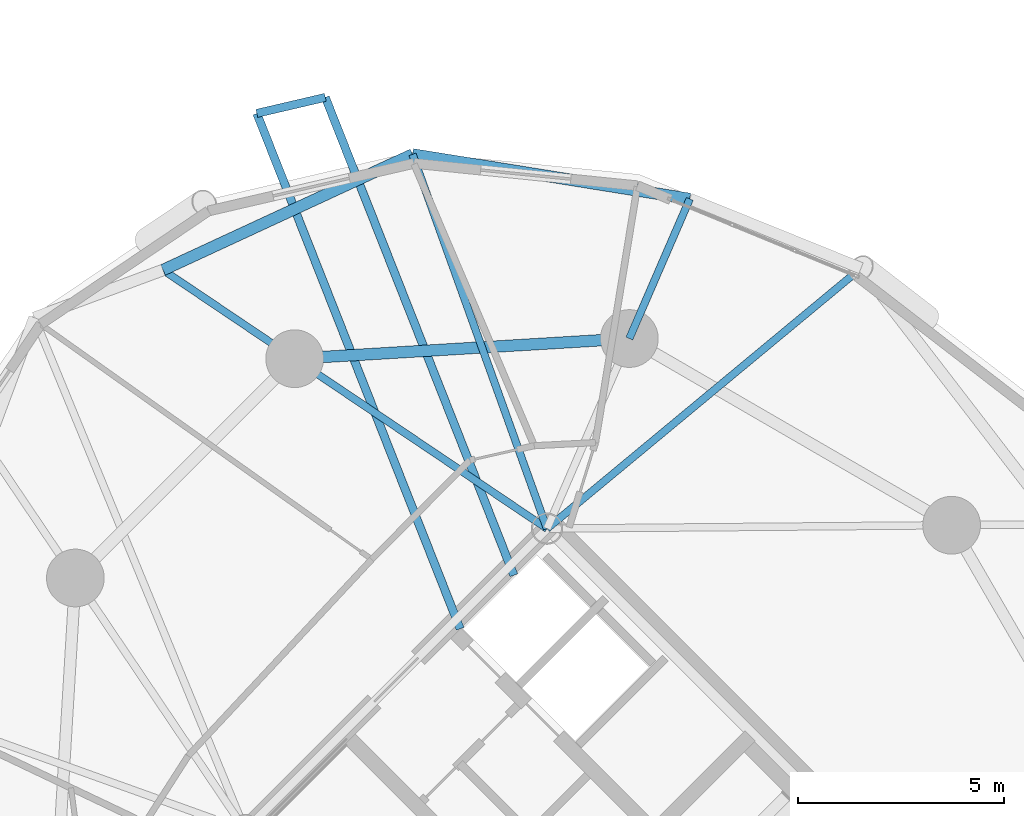
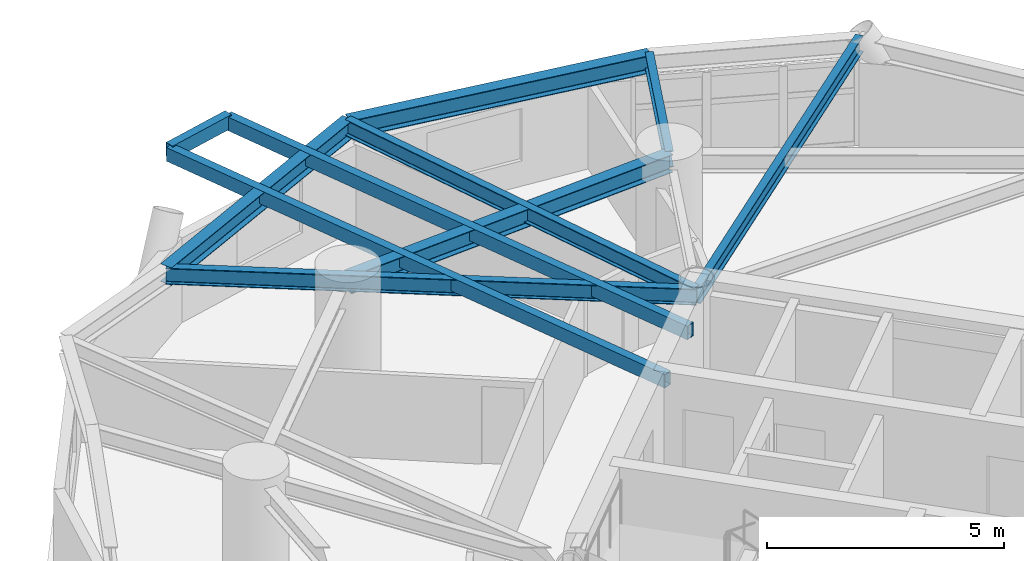
# One storey, part 6 of 17: 10 beams.
"""IFC4 building model written with IfcOpenShell, lengths in metres."""

from ifc_helpers import new_model, si_unit, direction, frame, origin, origin_2d, place, context, subcontext, project, spatial, hollow_rectangle, i_section, extrude, material, material_profile, profile_set, type_object, element, save


model = new_model("IFC4")

# Units and contexts
model_context = context("Model", 3, precision=1e-05, world=origin(), true_north=direction((0.0, 1.0)))
body_context = subcontext(model_context, "Body", "Model", "MODEL_VIEW")
ifc_project = project(units=[si_unit("LENGTHUNIT", "METRE"), si_unit("AREAUNIT", "SQUARE_METRE"), si_unit("VOLUMEUNIT", "CUBIC_METRE"), si_unit("PLANEANGLEUNIT", "RADIAN"), si_unit("MASSUNIT", "GRAM", prefix="KILO")], contexts=[model_context])

# Site, building, storey
site_placement = place(None, origin())
site = spatial("IfcSite", under=ifc_project, at=site_placement, CompositionType="ELEMENT")
building_placement = place(site_placement, origin())
building = spatial("IfcBuilding", under=site, at=building_placement, Name="Cununo Teusaquillo Station Towers", CompositionType="ELEMENT")
storey_placement = place(building_placement, frame((0.0, 0.0, 116.7099609375)))
storey = spatial("IfcBuildingStorey", under=building, at=storey_placement, Name="L37", CompositionType="ELEMENT", Elevation=116.7099609375)

# Beams
ifc_material_1 = material(Name="Steel EN 10025-2 S355J2", Category="steel")
ifc_material_profile_1 = material_profile(ifc_material_1, hollow_rectangle(XDim=0.199951171875, YDim=0.35009765625, WallThickness=0.013916015625, at=origin_2d()), Name="RHS 350x200x14")
ifc_profile_set_1 = profile_set([ifc_material_profile_1], Name="Steel EN 10025-2 S355J2")
beam_type_1 = type_object("IfcBeamType", Name="BM-BAL-CANT", PredefinedType="BEAM", material=ifc_profile_set_1)
beam_1_placement = place(storey_placement, frame((55.48974609375, 31.894287109375, 2.4951171875), z_axis=(-0.367001462432, 0.930220364523, 0.0), x_axis=(-0.930220364523, -0.367001462432, 0.0)))
element("IfcBeam", 1, at=beam_1_placement, inside=storey, type_object=beam_type_1, Name="L37 Tower B Balcony Cantilever Bracket 1A", PredefinedType="BEAM", context=body_context, shape_type="SweptSolid", body=[
    extrude(hollow_rectangle(XDim=0.199951171875, YDim=0.35009765625, WallThickness=0.013916015625, at=origin_2d()), origin(), (0.0, 0.0, 1.0), 12.459716796875),
])
beam_2_placement = place(storey_placement, frame((54.188720703125, 30.593505859375, 2.4951171875), z_axis=(-0.367008555132, 0.930217566196, 0.0), x_axis=(-0.930217566196, -0.367008555132, 0.0)))
element("IfcBeam", 2, at=beam_2_placement, inside=storey, type_object=beam_type_1, Name="L37 Tower B Balcony Cantilever Bracket 1B", PredefinedType="BEAM", context=body_context, shape_type="SweptSolid", body=[
    extrude(hollow_rectangle(XDim=0.199951171875, YDim=0.35009765625, WallThickness=0.013916015625, at=origin_2d()), origin(), (0.0, 0.0, 1.0), 13.44140625),
])
ifc_material_2 = material(Name="Steel ASTM A572 Grade 50", Category="steel")
ifc_material_profile_2 = material_profile(ifc_material_2, i_section(OverallWidth=0.180908203125, OverallDepth=0.4169921875, WebThickness=0.010986328125, FlangeThickness=0.018310546875, FilletRadius=0.012939453125, at=origin_2d()), Name="W16X57")
ifc_profile_set_2 = profile_set([ifc_material_profile_2], Name="Steel ASTM A572 Grade 50")
beam_type_2 = type_object("IfcBeamType", Name="BM-JOIST-1", PredefinedType="JOIST", material=ifc_profile_set_2)
beam_3_placement = place(storey_placement, frame((56.29443359375, 33.024169921875, 2.46142578125), z_axis=(0.769727799615, 0.638372238196, 0.0), x_axis=(-0.638372238196, 0.769727799615, 0.0)))
element("IfcBeam", 3, at=beam_3_placement, inside=storey, type_object=beam_type_2, Name="L37 Tower B Radial Spandrel Joist V01", PredefinedType="JOIST", context=body_context, shape_type="SweptSolid", body=[
    extrude(i_section(OverallWidth=0.180908203125, OverallDepth=0.4169921875, WebThickness=0.010986328125, FlangeThickness=0.018310546875, FilletRadius=0.012939453125, at=origin_2d()), origin(), (0.0, 0.0, 1.0), 9.895263671875),
])
beam_4_placement = place(storey_placement, frame((56.29443359375, 33.024169921875, 2.46142578125), z_axis=(-0.338176312038, 0.941082771055, 0.0), x_axis=(-0.941082771055, -0.338176312038, 0.0)))
element("IfcBeam", 4, at=beam_4_placement, inside=storey, type_object=beam_type_2, Name="L37 Tower B Radial Spandrel Joist V03", PredefinedType="JOIST", context=body_context, shape_type="SweptSolid", body=[
    extrude(i_section(OverallWidth=0.180908203125, OverallDepth=0.4169921875, WebThickness=0.010986328125, FlangeThickness=0.018310546875, FilletRadius=0.012939453125, at=origin_2d()), origin(), (0.0, 0.0, 1.0), 9.646484375),
])
ifc_material_3 = material(Name="Steel ASTM A572 Grade 50", Category="steel")
ifc_material_profile_3 = material_profile(ifc_material_3, i_section(OverallWidth=0.180908203125, OverallDepth=0.4169921875, WebThickness=0.010986328125, FlangeThickness=0.018310546875, FilletRadius=0.012939453125, at=origin_2d()), Name="W16X57")
ifc_profile_set_3 = profile_set([ifc_material_profile_3], Name="Steel ASTM A572 Grade 50")
beam_type_3 = type_object("IfcBeamType", Name="BM-RAD-G2", PredefinedType="BEAM", material=ifc_profile_set_3)
beam_5_placement = place(storey_placement, frame((58.291015625, 37.63525390625, 2.46142578125), z_axis=(0.397421761279, 0.917636062751, 0.0), x_axis=(-0.917636062751, 0.397421761279, 0.0)))
element("IfcBeam", 5, at=beam_5_placement, inside=storey, type_object=beam_type_3, Name="L37 Tower B Perimeter Overhang Girder 02B", PredefinedType="BEAM", context=body_context, shape_type="SweptSolid", body=[
    extrude(i_section(OverallWidth=0.180908203125, OverallDepth=0.4169921875, WebThickness=0.010986328125, FlangeThickness=0.018310546875, FilletRadius=0.012939453125, at=origin_2d()), origin(), (0.0, 0.0, 1.0), 3.690185546875),
])
beam_6_placement = place(storey_placement, frame((56.29443359375, 33.024169921875, 2.46142578125), z_axis=(-0.82945583878, 0.558572297481, 0.0), x_axis=(-0.558572297481, -0.82945583878, 0.0)))
element("IfcBeam", 6, at=beam_6_placement, inside=storey, type_object=beam_type_3, Name="L37 Tower B Continuous Overhanging Radial Girder 03", PredefinedType="BEAM", context=body_context, shape_type="SweptSolid", body=[
    extrude(i_section(OverallWidth=0.180908203125, OverallDepth=0.4169921875, WebThickness=0.010986328125, FlangeThickness=0.018310546875, FilletRadius=0.012939453125, at=origin_2d()), origin(), (0.0, 0.0, 1.0), 11.22998046875),
])
ifc_material_4 = material(Name="Steel ASTM A572 Grade 50", Category="steel")
ifc_material_profile_4 = material_profile(ifc_material_4, i_section(OverallWidth=0.280029296875, OverallDepth=0.462890625, WebThickness=0.0107421875, FlangeThickness=0.017333984375, FilletRadius=0.013916015625, at=origin_2d()), Name="W18X76")
ifc_profile_set_4 = profile_set([ifc_material_profile_4], Name="Steel ASTM A572 Grade 50")
beam_type_4 = type_object("IfcBeamType", Name="BM-RING-Z2", PredefinedType="SPANDREL", material=ifc_profile_set_4)
beam_7_placement = place(storey_placement, frame((58.291015625, 37.63525390625, 2.4384765625), z_axis=(-0.998190567048, -0.06012979176, 0.0), x_axis=(0.06012979176, -0.998190567048, 0.0)))
element("IfcBeam", 7, at=beam_7_placement, inside=storey, type_object=beam_type_4, Name="L37 Tower B Structural Column Ring Girder 02", PredefinedType="SPANDREL", context=body_context, shape_type="SweptSolid", body=[
    extrude(i_section(OverallWidth=0.280029296875, OverallDepth=0.462890625, WebThickness=0.0107421875, FlangeThickness=0.017333984375, FilletRadius=0.013916015625, at=origin_2d()), origin(), (0.0, 0.0, 1.0), 8.132568359375),
])
beam_8_placement = place(storey_placement, frame((59.757568359375, 41.021484375, 2.4384765625), z_axis=(-0.987331474246, 0.158671232312, 0.0), x_axis=(-0.158671232312, -0.987331474246, 0.0)))
element("IfcBeam", 8, at=beam_8_placement, inside=storey, type_object=beam_type_4, Name="L37 Tower B Spandrel Ring Beam 03", PredefinedType="SPANDREL", context=body_context, shape_type="SweptSolid", body=[
    extrude(i_section(OverallWidth=0.280029296875, OverallDepth=0.462890625, WebThickness=0.0107421875, FlangeThickness=0.017333984375, FilletRadius=0.013916015625, at=origin_2d()), origin(), (0.0, 0.0, 1.0), 6.8115234375),
])
beam_9_placement = place(storey_placement, frame((53.0322265625, 42.102294921875, 2.4384765625), z_axis=(-0.907275870354, -0.420535961689, 0.0), x_axis=(0.420535961689, -0.907275870354, 0.0)))
element("IfcBeam", 9, at=beam_9_placement, inside=storey, type_object=beam_type_4, Name="L37 Tower B Spandrel Ring Beam 04", PredefinedType="SPANDREL", context=body_context, shape_type="SweptSolid", body=[
    extrude(i_section(OverallWidth=0.280029296875, OverallDepth=0.462890625, WebThickness=0.0107421875, FlangeThickness=0.017333984375, FilletRadius=0.013916015625, at=origin_2d()), origin(), (0.0, 0.0, 1.0), 6.671142578125),
])
ifc_material_5 = material(Name="Steel EN 10025-2 S355J2", Category="steel")
ifc_material_profile_5 = material_profile(ifc_material_5, hollow_rectangle(XDim=0.199951171875, YDim=0.35009765625, WallThickness=0.013916015625, at=origin_2d()), Name="RHS 350x200x14")
ifc_profile_set_5 = profile_set([ifc_material_profile_5], Name="Steel EN 10025-2 S355J2")
beam_type_5 = type_object("IfcBeamType", Name="BM-STAIR-TRIM", PredefinedType="BEAM", material=ifc_profile_set_5)
beam_10_placement = place(storey_placement, frame((50.9169921875, 43.484619140625, 2.525146484375), z_axis=(-0.973835931599, -0.22725223503, 0.0), x_axis=(0.22725223503, -0.973835931599, 0.0)))
element("IfcBeam", 10, at=beam_10_placement, inside=storey, type_object=beam_type_5, Name="L37 Tower B Balcony Edge Trimmer Beam 1", PredefinedType="BEAM", context=body_context, shape_type="SweptSolid", body=[
    extrude(hollow_rectangle(XDim=0.199951171875, YDim=0.35009765625, WallThickness=0.013916015625, at=origin_2d()), origin(), (0.0, 0.0, 1.0), 1.7060546875),
])

save(model, "model.ifc")
